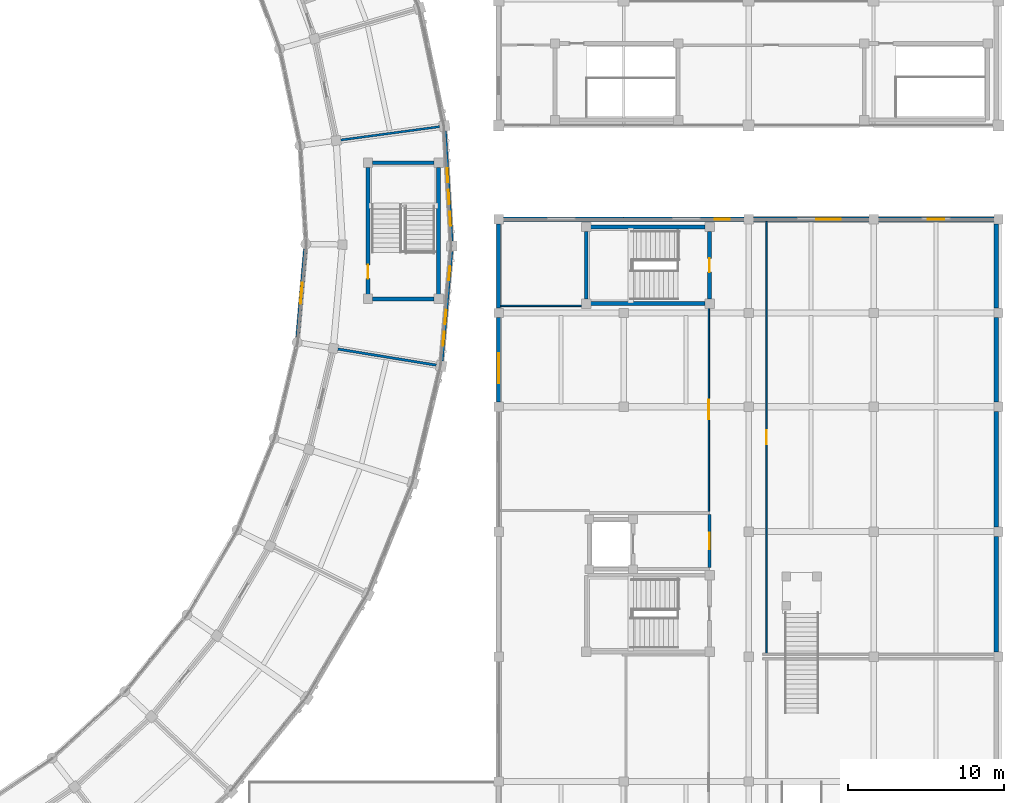
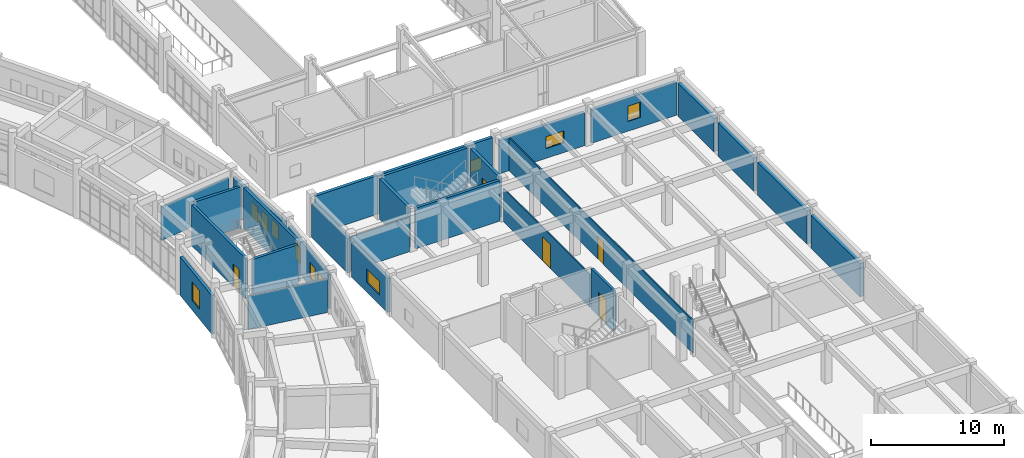
# One storey, part 135 of 159: 27 walls, 11 windows, 5 doors, 16 openings.
"""IFC4 building model written with IfcOpenShell, lengths in metres."""

from ifc_helpers import new_model, si_unit, direction, frame, frame_2d, origin, place, context, subcontext, project, spatial, rectangle, extrude, material, layer, layer_set, type_object, element, fill, save


model = new_model("IFC4")

# Units and contexts
model_context = context("Model", 3, precision=1e-05, world=origin(), true_north=direction((0.0, 1.0)))
body_context = subcontext(model_context, "Body", "Model", "MODEL_VIEW")
ifc_project = project(units=[si_unit("LENGTHUNIT", "METRE"), si_unit("AREAUNIT", "SQUARE_METRE"), si_unit("VOLUMEUNIT", "CUBIC_METRE"), si_unit("PLANEANGLEUNIT", "RADIAN"), si_unit("MASSUNIT", "GRAM", prefix="KILO")], contexts=[model_context])

# Site, building, storey
site_placement = place(None, origin())
site = spatial("IfcSite", under=ifc_project, at=site_placement, CompositionType="ELEMENT")
building_placement = place(site_placement, origin())
building = spatial("IfcBuilding", under=site, at=building_placement, Name="Celadon Cloister-Ring School", CompositionType="ELEMENT")
storey_placement = place(building_placement, frame((0.0, 0.0, 4.5)))
storey = spatial("IfcBuildingStorey", under=building, at=storey_placement, Name="L01", CompositionType="ELEMENT", Elevation=4.5)

# Wall, opening, window
ifc_material_1 = material(Name="Rendered concrete blockwork", Category="masonry")
ifc_layer_1 = layer(ifc_material_1, 0.260009765625)
ifc_layer_set_1 = layer_set([ifc_layer_1], Name="Rendered concrete blockwork")
wall_type_1 = type_object("IfcWallType", Name="WT-EX2", PredefinedType="SOLIDWALL", material=ifc_layer_set_1)
wall_1_placement = place(storey_placement, frame((142.0, 48.302001953125, 0.0), z_axis=(0.0, 0.0, 1.0), x_axis=(0.0, 1.0, 0.0)))
wall_1 = element("IfcWall", 1, at=wall_1_placement, inside=storey, type_object=wall_type_1, Name="Exterior Wall 0431", PredefinedType="SOLIDWALL", context=body_context, shape_type="SweptSolid", body=[
    extrude(rectangle(XDim=5.39599609375, YDim=0.260009765625, at=frame_2d((2.697998046875, 0.0))), origin(), (0.0, 0.0, 1.0), 3.152099609375),
])
opening_1_placement = place(wall_1_placement, frame((1.18310546875, 0.0, 0.89990234375)))
opening_1 = element("IfcOpeningElement", 2, at=opening_1_placement, cuts=wall_1, Name="Opening WN-18", PredefinedType="OPENING", context=body_context, shape_type="SweptSolid", body=[
    extrude(rectangle(XDim=1.949951171875, YDim=1.25, at=frame_2d((0.97509765625, 0.625))), frame((0.0, 0.14013671875, 0.0), z_axis=(0.0, -1.0, 0.0), x_axis=(1.0, 0.0, 0.0)), (0.0, 0.0, 1.0), 0.280029296875),
])
ifc_material_2 = material(Name="Tempered laminated insulating glass", Category="glass")
window_type_1 = type_object("IfcWindowType", Name="WN-18", PartitioningType="DOUBLE_PANEL_VERTICAL", PredefinedType="WINDOW", material=ifc_material_2)
window_1_placement = place(opening_1_placement, origin())
window_1 = element("IfcWindow", 3, at=window_1_placement, inside=storey, type_object=window_type_1, Name="Window 0969", OverallHeight=1.25, OverallWidth=1.949951171875, PartitioningType="SINGLE_PANEL", PredefinedType="WINDOW", context=body_context, shape_type="SweptSolid", body=[
    extrude(rectangle(XDim=1.949951171875, YDim=1.25, at=frame_2d((0.97509765625, 0.625))), frame((0.0, 0.030029296875, 0.0), z_axis=(0.0, -1.0, 0.0), x_axis=(1.0, 0.0, 0.0)), (0.0, 0.0, 1.0), 0.06005859375),
])
fill(opening_1, window_1)

# Walls
wall_2_placement = place(storey_placement, frame((142.0, 54.302001953125, 0.0), z_axis=(0.0, 0.0, 1.0), x_axis=(0.0, 1.0, 0.0)))
element("IfcWall", 4, at=wall_2_placement, inside=storey, type_object=wall_type_1, Name="Exterior Wall 0432", PredefinedType="SOLIDWALL", context=body_context, shape_type="SweptSolid", body=[
    extrude(rectangle(XDim=5.39599609375, YDim=0.260009765625, at=frame_2d((2.697998046875, 0.0))), origin(), (0.0, 0.0, 1.0), 3.152099609375),
])
wall_3_placement = place(storey_placement, frame((142.302001953125, 60.0, 0.0), z_axis=(0.0, 0.0, 1.0), x_axis=(1.0, 0.0, 0.0)))
element("IfcWall", 5, at=wall_3_placement, inside=storey, type_object=wall_type_1, Name="Exterior Wall 0433", PredefinedType="SOLIDWALL", context=body_context, shape_type="SweptSolid", body=[
    extrude(rectangle(XDim=7.697998046875, YDim=0.260009765625, at=frame_2d((3.84912109375, 0.0))), origin(), (0.0, 0.0, 1.0), 3.550048828125),
])

# Wall, opening, window
wall_4_placement = place(storey_placement, frame((150.0, 60.0, 0.0), z_axis=(0.0, 0.0, 1.0), x_axis=(1.0, 0.0, 0.0)))
wall_4 = element("IfcWall", 6, at=wall_4_placement, inside=storey, type_object=wall_type_1, Name="Exterior Wall 0434", PredefinedType="SOLIDWALL", context=body_context, shape_type="SweptSolid", body=[
    extrude(rectangle(XDim=7.697998046875, YDim=0.260009765625, at=frame_2d((3.84912109375, 0.0))), origin(), (0.0, 0.0, 1.0), 3.550048828125),
])
opening_2_placement = place(wall_4_placement, frame((5.8369140625, 0.0, 0.89990234375)))
opening_2 = element("IfcOpeningElement", 7, at=opening_2_placement, cuts=wall_4, Name="Opening WN-02", PredefinedType="OPENING", context=body_context, shape_type="SweptSolid", body=[
    extrude(rectangle(XDim=0.949951171875, YDim=1.10009765625, at=frame_2d((0.47509765625, 0.550048828125))), frame((0.0, 0.14013671875, 0.0), z_axis=(0.0, -1.0, 0.0), x_axis=(1.0, 0.0, 0.0)), (0.0, 0.0, 1.0), 0.280029296875),
])
ifc_material_3 = material(Name="Tempered laminated insulating glass", Category="glass")
window_type_2 = type_object("IfcWindowType", Name="WN-02", PartitioningType="SINGLE_PANEL", PredefinedType="WINDOW", material=ifc_material_3)
window_2_placement = place(opening_2_placement, origin())
window_2 = element("IfcWindow", 8, at=window_2_placement, inside=storey, type_object=window_type_2, Name="Window 0970", OverallHeight=1.10009765625, OverallWidth=0.949951171875, PartitioningType="SINGLE_PANEL", PredefinedType="WINDOW", context=body_context, shape_type="SweptSolid", body=[
    extrude(rectangle(XDim=0.949951171875, YDim=1.10009765625, at=frame_2d((0.47509765625, 0.550048828125))), frame((0.0, 0.030029296875, 0.0), z_axis=(0.0, -1.0, 0.0), x_axis=(1.0, 0.0, 0.0)), (0.0, 0.0, 1.0), 0.06005859375),
])
fill(opening_2, window_2)

wall_5_placement = place(storey_placement, frame((158.302001953125, 60.0, 0.0), z_axis=(0.0, 0.0, 1.0), x_axis=(1.0, 0.0, 0.0)))
wall_5 = element("IfcWall", 9, at=wall_5_placement, inside=storey, type_object=wall_type_1, Name="Exterior Wall 0435", PredefinedType="SOLIDWALL", context=body_context, shape_type="SweptSolid", body=[
    extrude(rectangle(XDim=7.39599609375, YDim=0.260009765625, at=frame_2d((3.697998046875, 0.0))), origin(), (0.0, 0.0, 1.0), 3.052001953125),
])
opening_3_placement = place(wall_5_placement, frame((4.031982421875, 0.0, 0.89990234375)))
opening_3 = element("IfcOpeningElement", 10, at=opening_3_placement, cuts=wall_5, Name="Opening WN-06", PredefinedType="OPENING", context=body_context, shape_type="SweptSolid", body=[
    extrude(rectangle(XDim=1.550048828125, YDim=1.10009765625, at=frame_2d((0.77490234375, 0.550048828125))), frame((0.0, 0.14013671875, 0.0), z_axis=(0.0, -1.0, 0.0), x_axis=(1.0, 0.0, 0.0)), (0.0, 0.0, 1.0), 0.280029296875),
])
ifc_material_4 = material(Name="Tempered laminated insulating glass", Category="glass")
window_type_3 = type_object("IfcWindowType", Name="WN-06", PartitioningType="DOUBLE_PANEL_VERTICAL", PredefinedType="WINDOW", material=ifc_material_4)
window_3_placement = place(opening_3_placement, origin())
window_3 = element("IfcWindow", 11, at=window_3_placement, inside=storey, type_object=window_type_3, Name="Window 0971", OverallHeight=1.10009765625, OverallWidth=1.550048828125, PartitioningType="SINGLE_PANEL", PredefinedType="WINDOW", context=body_context, shape_type="SweptSolid", body=[
    extrude(rectangle(XDim=1.550048828125, YDim=1.10009765625, at=frame_2d((0.77490234375, 0.550048828125))), frame((0.0, 0.030029296875, 0.0), z_axis=(0.0, -1.0, 0.0), x_axis=(1.0, 0.0, 0.0)), (0.0, 0.0, 1.0), 0.06005859375),
])
fill(opening_3, window_3)

wall_6_placement = place(storey_placement, frame((166.302001953125, 60.0, 0.0), z_axis=(0.0, 0.0, 1.0), x_axis=(1.0, 0.0, 0.0)))
wall_6 = element("IfcWall", 12, at=wall_6_placement, inside=storey, type_object=wall_type_1, Name="Exterior Wall 0436", PredefinedType="SOLIDWALL", context=body_context, shape_type="SweptSolid", body=[
    extrude(rectangle(XDim=7.39599609375, YDim=0.260009765625, at=frame_2d((3.697998046875, 0.0))), origin(), (0.0, 0.0, 1.0), 3.052001953125),
])
opening_4_placement = place(wall_6_placement, frame((3.173095703125, 0.0, 0.89990234375)))
opening_4 = element("IfcOpeningElement", 13, at=opening_4_placement, cuts=wall_6, Name="Opening WN-22", PredefinedType="OPENING", context=body_context, shape_type="SweptSolid", body=[
    extrude(rectangle(XDim=1.050048828125, YDim=1.39990234375, at=frame_2d((0.52490234375, 0.699951171875))), frame((0.0, 0.14013671875, 0.0), z_axis=(0.0, -1.0, 0.0), x_axis=(1.0, 0.0, 0.0)), (0.0, 0.0, 1.0), 0.280029296875),
])
ifc_material_5 = material(Name="Tempered laminated insulating glass", Category="glass")
window_type_4 = type_object("IfcWindowType", Name="WN-22", PartitioningType="SINGLE_PANEL", PredefinedType="WINDOW", material=ifc_material_5)
window_4_placement = place(opening_4_placement, origin())
window_4 = element("IfcWindow", 14, at=window_4_placement, inside=storey, type_object=window_type_4, Name="Window 0972", OverallHeight=1.39990234375, OverallWidth=1.050048828125, PartitioningType="SINGLE_PANEL", PredefinedType="WINDOW", context=body_context, shape_type="SweptSolid", body=[
    extrude(rectangle(XDim=1.050048828125, YDim=1.39990234375, at=frame_2d((0.52490234375, 0.699951171875))), frame((0.0, 0.030029296875, 0.0), z_axis=(0.0, -1.0, 0.0), x_axis=(1.0, 0.0, 0.0)), (0.0, 0.0, 1.0), 0.06005859375),
])
fill(opening_4, window_4)

ifc_material_6 = material(Name="Rendered concrete blockwork", Category="masonry")
ifc_layer_2 = layer(ifc_material_6, 0.239990234375)
ifc_layer_set_2 = layer_set([ifc_layer_2], Name="Rendered concrete blockwork")
wall_type_2 = type_object("IfcWallType", Name="WT-EX3", PredefinedType="SOLIDWALL", material=ifc_layer_set_2)
wall_7_placement = place(storey_placement, frame((129.1201171875, 52.44189453125, 0.0), z_axis=(0.0, 0.0, 1.0), x_axis=(0.087717690898, 0.996145374282, 0.0)))
wall_7 = element("IfcWall", 15, at=wall_7_placement, inside=storey, type_object=wall_type_2, Name="Exterior Wall 0090", PredefinedType="SOLIDWALL", context=body_context, shape_type="SweptSolid", body=[
    extrude(rectangle(XDim=5.663818359375, YDim=0.239990234375, at=frame_2d((2.83203125, 0.0))), origin(), (0.0, 0.0, 1.0), 3.550048828125),
])
opening_5_placement = place(wall_7_placement, frame((2.156982421875, 0.0, 0.89990234375)))
opening_5 = element("IfcOpeningElement", 16, at=opening_5_placement, cuts=wall_7, Name="Opening WN-43", PredefinedType="OPENING", context=body_context, shape_type="SweptSolid", body=[
    extrude(rectangle(XDim=1.35009765625, YDim=1.699951171875, at=frame_2d((0.675048828125, 0.85009765625))), frame((0.0, 0.1298828125, 0.0), z_axis=(0.0, -1.0, 0.0), x_axis=(1.0, 0.0, 0.0)), (0.0, 0.0, 1.0), 0.260009765625),
])
ifc_material_7 = material(Name="Tempered laminated insulating glass", Category="glass")
window_type_5 = type_object("IfcWindowType", Name="WN-43", PartitioningType="SINGLE_PANEL", PredefinedType="WINDOW", material=ifc_material_7)
window_5_placement = place(opening_5_placement, origin())
window_5 = element("IfcWindow", 17, at=window_5_placement, inside=storey, type_object=window_type_5, Name="Window 0243", OverallHeight=1.699951171875, OverallWidth=1.35009765625, PartitioningType="SINGLE_PANEL", PredefinedType="WINDOW", context=body_context, shape_type="SweptSolid", body=[
    extrude(rectangle(XDim=1.35009765625, YDim=1.699951171875, at=frame_2d((0.675048828125, 0.85009765625))), frame((0.0, 0.030029296875, 0.0), z_axis=(0.0, -1.0, 0.0), x_axis=(1.0, 0.0, 0.0)), (0.0, 0.0, 1.0), 0.06005859375),
])
fill(opening_5, window_5)

# Wall, openings, windows
ifc_material_8 = material(Name="Perforated terracotta clay brick masonry", Category="masonry")
ifc_layer_3 = layer(ifc_material_8, 0.219970703125)
ifc_layer_set_3 = layer_set([ifc_layer_3], Name="Perforated terracotta clay brick masonry")
wall_type_3 = type_object("IfcWallType", Name="WT-EX4", PredefinedType="SOLIDWALL", material=ifc_layer_set_3)
wall_8_placement = place(storey_placement, frame((138.965087890625, 57.946044921875, 0.0), z_axis=(0.0, 0.0, 1.0), x_axis=(-0.087777274836, -0.996140125696, 0.0)))
wall_8 = element("IfcWall", 18, at=wall_8_placement, inside=storey, type_object=wall_type_3, Name="Exterior Wall 0089", PredefinedType="SOLIDWALL", context=body_context, shape_type="SweptSolid", body=[
    extrude(rectangle(XDim=7.03125, YDim=0.219970703125, at=frame_2d((3.515625, 0.0))), origin(), (0.0, 0.0, 1.0), 3.172119140625),
])
opening_6_placement = place(wall_8_placement, frame((0.9560546875, 0.0, 0.85009765625)))
opening_6 = element("IfcOpeningElement", 19, at=opening_6_placement, cuts=wall_8, Name="Opening WN-21", PredefinedType="OPENING", context=body_context, shape_type="SweptSolid", body=[
    extrude(rectangle(XDim=0.89990234375, YDim=1.39990234375, at=frame_2d((0.449951171875, 0.699951171875))), frame((0.0, 0.1201171875, 0.0), z_axis=(0.0, -1.0, 0.0), x_axis=(1.0, 0.0, 0.0)), (0.0, 0.0, 1.0), 0.239990234375),
])
opening_7_placement = place(wall_8_placement, frame((3.76904296875, 0.0, 0.85009765625)))
opening_7 = element("IfcOpeningElement", 20, at=opening_7_placement, cuts=wall_8, Name="Opening WN-21", PredefinedType="OPENING", context=body_context, shape_type="SweptSolid", body=[
    extrude(rectangle(XDim=0.89990234375, YDim=1.39990234375, at=frame_2d((0.449951171875, 0.699951171875))), frame((0.0, 0.1201171875, 0.0), z_axis=(0.0, -1.0, 0.0), x_axis=(1.0, 0.0, 0.0)), (0.0, 0.0, 1.0), 0.239990234375),
])
opening_8_placement = place(wall_8_placement, frame((5.175048828125, 0.0, 0.85009765625)))
opening_8 = element("IfcOpeningElement", 21, at=opening_8_placement, cuts=wall_8, Name="Opening WN-21", PredefinedType="OPENING", context=body_context, shape_type="SweptSolid", body=[
    extrude(rectangle(XDim=0.89990234375, YDim=1.39990234375, at=frame_2d((0.449951171875, 0.699951171875))), frame((0.0, 0.1201171875, 0.0), z_axis=(0.0, -1.0, 0.0), x_axis=(1.0, 0.0, 0.0)), (0.0, 0.0, 1.0), 0.239990234375),
])
ifc_material_9 = material(Name="Tempered laminated insulating glass", Category="glass")
window_type_6 = type_object("IfcWindowType", Name="WN-21", PartitioningType="SINGLE_PANEL", PredefinedType="WINDOW", material=ifc_material_9)
window_6_placement = place(opening_6_placement, origin())
window_6 = element("IfcWindow", 22, at=window_6_placement, inside=storey, type_object=window_type_6, Name="Window 0240", OverallHeight=1.39990234375, OverallWidth=0.89990234375, PartitioningType="SINGLE_PANEL", PredefinedType="WINDOW", context=body_context, shape_type="SweptSolid", body=[
    extrude(rectangle(XDim=0.89990234375, YDim=1.39990234375, at=frame_2d((0.449951171875, 0.699951171875))), frame((0.0, 0.030029296875, 0.0), z_axis=(0.0, -1.0, 0.0), x_axis=(1.0, 0.0, 0.0)), (0.0, 0.0, 1.0), 0.06005859375),
])
fill(opening_6, window_6)
window_7_placement = place(opening_7_placement, origin())
window_7 = element("IfcWindow", 23, at=window_7_placement, inside=storey, type_object=window_type_6, Name="Window 0241", OverallHeight=1.39990234375, OverallWidth=0.89990234375, PartitioningType="SINGLE_PANEL", PredefinedType="WINDOW", context=body_context, shape_type="SweptSolid", body=[
    extrude(rectangle(XDim=0.89990234375, YDim=1.39990234375, at=frame_2d((0.449951171875, 0.699951171875))), frame((0.0, 0.030029296875, 0.0), z_axis=(0.0, -1.0, 0.0), x_axis=(1.0, 0.0, 0.0)), (0.0, 0.0, 1.0), 0.06005859375),
])
fill(opening_7, window_7)
window_8_placement = place(opening_8_placement, origin())
window_8 = element("IfcWindow", 24, at=window_8_placement, inside=storey, type_object=window_type_6, Name="Window 0242", OverallHeight=1.39990234375, OverallWidth=0.89990234375, PartitioningType="SINGLE_PANEL", PredefinedType="WINDOW", context=body_context, shape_type="SweptSolid", body=[
    extrude(rectangle(XDim=0.89990234375, YDim=1.39990234375, at=frame_2d((0.449951171875, 0.699951171875))), frame((0.0, 0.030029296875, 0.0), z_axis=(0.0, -1.0, 0.0), x_axis=(1.0, 0.0, 0.0)), (0.0, 0.0, 1.0), 0.06005859375),
])
fill(opening_8, window_8)

wall_9_placement = place(storey_placement, frame((138.551025390625, 65.635986328125, 0.0), z_axis=(0.0, 0.0, 1.0), x_axis=(0.06029906372, -0.998180355905, 0.0)))
wall_9 = element("IfcWall", 25, at=wall_9_placement, inside=storey, type_object=wall_type_3, Name="Exterior Wall 0091", PredefinedType="SOLIDWALL", context=body_context, shape_type="SweptSolid", body=[
    extrude(rectangle(XDim=7.03271484375, YDim=0.219970703125, at=frame_2d((3.516357421875, 0.0))), origin(), (0.0, 0.0, 1.0), 3.172119140625),
])
opening_9_placement = place(wall_9_placement, frame((2.363037109375, 0.0, 0.85009765625)))
opening_9 = element("IfcOpeningElement", 26, at=opening_9_placement, cuts=wall_9, Name="Opening WN-21", PredefinedType="OPENING", context=body_context, shape_type="SweptSolid", body=[
    extrude(rectangle(XDim=0.89990234375, YDim=1.39990234375, at=frame_2d((0.449951171875, 0.699951171875))), frame((0.0, 0.1201171875, 0.0), z_axis=(0.0, -1.0, 0.0), x_axis=(1.0, 0.0, 0.0)), (0.0, 0.0, 1.0), 0.239990234375),
])
opening_10_placement = place(wall_9_placement, frame((3.77001953125, 0.0, 0.85009765625)))
opening_10 = element("IfcOpeningElement", 27, at=opening_10_placement, cuts=wall_9, Name="Opening WN-21", PredefinedType="OPENING", context=body_context, shape_type="SweptSolid", body=[
    extrude(rectangle(XDim=0.89990234375, YDim=1.39990234375, at=frame_2d((0.449951171875, 0.699951171875))), frame((0.0, 0.1201171875, 0.0), z_axis=(0.0, -1.0, 0.0), x_axis=(1.0, 0.0, 0.0)), (0.0, 0.0, 1.0), 0.239990234375),
])
opening_11_placement = place(wall_9_placement, frame((5.176025390625, 0.0, 0.85009765625)))
opening_11 = element("IfcOpeningElement", 28, at=opening_11_placement, cuts=wall_9, Name="Opening WN-21", PredefinedType="OPENING", context=body_context, shape_type="SweptSolid", body=[
    extrude(rectangle(XDim=0.89990234375, YDim=1.39990234375, at=frame_2d((0.449951171875, 0.699951171875))), frame((0.0, 0.1201171875, 0.0), z_axis=(0.0, -1.0, 0.0), x_axis=(1.0, 0.0, 0.0)), (0.0, 0.0, 1.0), 0.239990234375),
])
window_9_placement = place(opening_9_placement, origin())
window_9 = element("IfcWindow", 29, at=window_9_placement, inside=storey, type_object=window_type_6, Name="Window 0244", OverallHeight=1.39990234375, OverallWidth=0.89990234375, PartitioningType="SINGLE_PANEL", PredefinedType="WINDOW", context=body_context, shape_type="SweptSolid", body=[
    extrude(rectangle(XDim=0.89990234375, YDim=1.39990234375, at=frame_2d((0.449951171875, 0.699951171875))), frame((0.0, 0.030029296875, 0.0), z_axis=(0.0, -1.0, 0.0), x_axis=(1.0, 0.0, 0.0)), (0.0, 0.0, 1.0), 0.06005859375),
])
fill(opening_9, window_9)
window_10_placement = place(opening_10_placement, origin())
window_10 = element("IfcWindow", 30, at=window_10_placement, inside=storey, type_object=window_type_6, Name="Window 0245", OverallHeight=1.39990234375, OverallWidth=0.89990234375, PartitioningType="SINGLE_PANEL", PredefinedType="WINDOW", context=body_context, shape_type="SweptSolid", body=[
    extrude(rectangle(XDim=0.89990234375, YDim=1.39990234375, at=frame_2d((0.449951171875, 0.699951171875))), frame((0.0, 0.030029296875, 0.0), z_axis=(0.0, -1.0, 0.0), x_axis=(1.0, 0.0, 0.0)), (0.0, 0.0, 1.0), 0.06005859375),
])
fill(opening_10, window_10)
window_11_placement = place(opening_11_placement, origin())
window_11 = element("IfcWindow", 31, at=window_11_placement, inside=storey, type_object=window_type_6, Name="Window 0246", OverallHeight=1.39990234375, OverallWidth=0.89990234375, PartitioningType="SINGLE_PANEL", PredefinedType="WINDOW", context=body_context, shape_type="SweptSolid", body=[
    extrude(rectangle(XDim=0.89990234375, YDim=1.39990234375, at=frame_2d((0.449951171875, 0.699951171875))), frame((0.0, 0.030029296875, 0.0), z_axis=(0.0, -1.0, 0.0), x_axis=(1.0, 0.0, 0.0)), (0.0, 0.0, 1.0), 0.06005859375),
])
fill(opening_11, window_11)

# Walls
ifc_material_10 = material(Name="Concrete C40/50", Category="concrete")
ifc_layer_4 = layer(ifc_material_10, 0.300048828125)
ifc_layer_set_4 = layer_set([ifc_layer_4], Name="Concrete C40/50")
wall_type_4 = type_object("IfcWallType", Name="WT-FW1", PredefinedType="SHEAR", material=ifc_layer_set_4)
for number, where, z_axis, x_axis, name in (
    (32, (173.85009765625, 59.697998046875, 0.0), (0.0, 0.0, 1.0), (0.0, -1.0, 0.0), "Exterior Wall 0437"),
    (33, (173.85009765625, 53.697998046875, 0.0), (0.0, 0.0, 1.0), (0.0, -1.0, 0.0), "Exterior Wall 0438"),
):
    element("IfcWall", number, at=place(storey_placement, frame(where, z_axis=z_axis, x_axis=x_axis)), inside=storey, type_object=wall_type_4, Name=name, PredefinedType="SHEAR", context=body_context, shape_type="SweptSolid", body=[
        extrude(rectangle(XDim=5.39599609375, YDim=0.300048828125, at=frame_2d((2.697998046875, 0.0))), origin(), (0.0, 0.0, 1.0), 3.052001953125),
    ])
for number, where, z_axis, x_axis, name in (
    (34, (173.85009765625, 47.697998046875, 0.0), (0.0, 0.0, 1.0), (0.0, -1.0, 0.0), "Exterior Wall 0439"),
    (35, (173.85009765625, 39.697998046875, 0.0), (0.0, 0.0, 1.0), (0.0, -1.0, 0.0), "Exterior Wall 0440"),
):
    element("IfcWall", number, at=place(storey_placement, frame(where, z_axis=z_axis, x_axis=x_axis)), inside=storey, type_object=wall_type_4, Name=name, PredefinedType="SHEAR", context=body_context, shape_type="SweptSolid", body=[
        extrude(rectangle(XDim=7.39599609375, YDim=0.300048828125, at=frame_2d((3.697998046875, 0.0))), origin(), (0.0, 0.0, 1.0), 3.052001953125),
    ])

# Wall, opening, door
ifc_material_11 = material(Name="Plastered hollow concrete masonry", Category="masonry")
ifc_layer_5 = layer(ifc_material_11, 0.199951171875)
ifc_layer_set_5 = layer_set([ifc_layer_5], Name="Plastered hollow concrete masonry")
wall_type_5 = type_object("IfcWallType", Name="WT-PT1", PredefinedType="PARTITIONING", material=ifc_layer_set_5)
wall_10_placement = place(storey_placement, frame((155.5, 37.702880859375, 0.0), z_axis=(0.0, 0.0, 1.0), x_axis=(0.0, 1.0, 0.0)))
wall_10 = element("IfcWall", 36, at=wall_10_placement, inside=storey, type_object=wall_type_5, Name="Interior Wall 0412", PredefinedType="PARTITIONING", context=body_context, shape_type="SweptSolid", body=[
    extrude(rectangle(XDim=3.39404296875, YDim=0.199951171875, at=frame_2d((1.697021484375, 0.0))), origin(), (0.0, 0.0, 1.0), 3.699951171875),
])
opening_12_placement = place(wall_10_placement, frame((1.1669921875, 0.0, 0.0)))
opening_12 = element("IfcOpeningElement", 37, at=opening_12_placement, cuts=wall_10, Name="Opening D-0110", PredefinedType="OPENING", context=body_context, shape_type="SweptSolid", body=[
    extrude(rectangle(XDim=1.06005859375, YDim=2.199951171875, at=frame_2d((0.530029296875, 1.10009765625))), frame((0.0, 0.10986328125, 0.0), z_axis=(0.0, -1.0, 0.0), x_axis=(1.0, 0.0, 0.0)), (0.0, 0.0, 1.0), 0.219970703125),
])
ifc_material_12 = material(Name="Solid-core fire-rated hardwood leaf", Category="wood")
door_type_1 = type_object("IfcDoorType", Name="DT-08", OperationType="NOTDEFINED", PredefinedType="DOOR", material=ifc_material_12)
door_1_placement = place(opening_12_placement, origin())
door_1 = element("IfcDoor", 38, at=door_1_placement, inside=storey, type_object=door_type_1, Name="Door D-0110", OperationType="SINGLE_SWING_RIGHT", OverallHeight=2.199951171875, OverallWidth=1.06005859375, PredefinedType="DOOR", context=body_context, shape_type="SweptSolid", body=[
    extrude(rectangle(XDim=1.06005859375, YDim=2.199951171875, at=frame_2d((0.530029296875, 1.10009765625))), frame((0.0, 0.02490234375, 0.0), z_axis=(0.0, -1.0, 0.0), x_axis=(1.0, 0.0, 0.0)), (0.0, 0.0, 1.0), 0.050048828125),
])
fill(opening_12, door_1)

# Walls
ifc_material_13 = material(Name="Plastered hollow concrete masonry", Category="masonry")
ifc_layer_6 = layer(ifc_material_13, 0.159912109375)
ifc_layer_set_6 = layer_set([ifc_layer_6], Name="Plastered hollow concrete masonry")
wall_type_6 = type_object("IfcWallType", Name="WT-PT3", PredefinedType="PARTITIONING", material=ifc_layer_set_6)
wall_11_placement = place(storey_placement, frame((131.697998046875, 51.68994140625, 0.0), z_axis=(0.0, 0.0, 1.0), x_axis=(0.986875911207, -0.161480450458, 0.0)))
element("IfcWall", 39, at=wall_11_placement, inside=storey, type_object=wall_type_6, Name="Interior Wall 0497", PredefinedType="PARTITIONING", context=body_context, shape_type="SweptSolid", body=[
    extrude(rectangle(XDim=6.390869140625, YDim=0.159912109375, at=frame_2d((3.1953125, 0.0))), origin(), (0.0, 0.0, 1.0), 3.072021484375),
])
ifc_material_14 = material(Name="Acoustic mineral-wool drywall partition")
ifc_layer_7 = layer(ifc_material_14, 0.139892578125)
ifc_layer_set_7 = layer_set([ifc_layer_7], Name="Acoustic mineral-wool drywall partition")
wall_type_7 = type_object("IfcWallType", Name="WT-PT4", PredefinedType="PARTITIONING", material=ifc_layer_set_7)
wall_12_placement = place(storey_placement, frame((131.883056640625, 65.071044921875, 0.0), z_axis=(0.0, 0.0, 1.0), x_axis=(0.990971868219, 0.134069968295, 0.0)))
element("IfcWall", 40, at=wall_12_placement, inside=storey, type_object=wall_type_7, Name="Interior Wall 0498", PredefinedType="PARTITIONING", context=body_context, shape_type="SweptSolid", body=[
    extrude(rectangle(XDim=6.3916015625, YDim=0.139892578125, at=frame_2d((3.19580078125, 0.0))), origin(), (0.0, 0.0, 1.0), 3.072021484375),
])

# Wall, opening, door
ifc_material_15 = material(Name="Acoustic mineral-wool drywall partition")
ifc_layer_8 = layer(ifc_material_15, 0.10009765625)
ifc_layer_set_8 = layer_set([ifc_layer_8], Name="Acoustic mineral-wool drywall partition")
wall_type_8 = type_object("IfcWallType", Name="WT-PT6", PredefinedType="PARTITIONING", material=ifc_layer_set_8)
wall_13_placement = place(storey_placement, frame((159.14990234375, 32.202880859375, 0.0), z_axis=(0.0, 0.0, 1.0), x_axis=(0.0, 1.0, 0.0)))
wall_13 = element("IfcWall", 41, at=wall_13_placement, inside=storey, type_object=wall_type_8, Name="Interior Wall 0958", PredefinedType="PARTITIONING", context=body_context, shape_type="SweptSolid", body=[
    extrude(rectangle(XDim=27.6640625, YDim=0.10009765625, at=frame_2d((13.83203125, 0.0))), origin(), (0.0, 0.0, 1.0), 3.052001953125),
])
opening_13_placement = place(wall_13_placement, frame((13.39208984375, 0.0, 0.0)))
opening_13 = element("IfcOpeningElement", 42, at=opening_13_placement, cuts=wall_13, Name="Opening D-0347", PredefinedType="OPENING", context=body_context, shape_type="SweptSolid", body=[
    extrude(rectangle(XDim=0.8798828125, YDim=2.10009765625, at=frame_2d((0.43994140625, 1.050048828125))), frame((0.0, 0.06005859375, 0.0), z_axis=(0.0, -1.0, 0.0), x_axis=(1.0, 0.0, 0.0)), (0.0, 0.0, 1.0), 0.1201171875),
])
ifc_material_16 = material(Name="Solid-core fire-rated hardwood leaf", Category="wood")
door_type_2 = type_object("IfcDoorType", Name="DT-01", OperationType="NOTDEFINED", PredefinedType="DOOR", material=ifc_material_16)
door_2_placement = place(opening_13_placement, origin())
door_2 = element("IfcDoor", 43, at=door_2_placement, inside=storey, type_object=door_type_2, Name="Door D-0347", OperationType="SINGLE_SWING_LEFT", OverallHeight=2.10009765625, OverallWidth=0.8798828125, PredefinedType="DOOR", context=body_context, shape_type="SweptSolid", body=[
    extrude(rectangle(XDim=0.8798828125, YDim=2.10009765625, at=frame_2d((0.43994140625, 1.050048828125))), frame((0.0, 0.02490234375, 0.0), z_axis=(0.0, -1.0, 0.0), x_axis=(1.0, 0.0, 0.0)), (0.0, 0.0, 1.0), 0.050048828125),
])
fill(opening_13, door_2)

# Wall
wall_14_placement = place(storey_placement, frame((142.133056640625, 54.449951171875, 0.0), z_axis=(0.0, 0.0, 1.0), x_axis=(1.0, 0.0, 0.0)))
element("IfcWall", 44, at=wall_14_placement, inside=storey, type_object=wall_type_8, Name="Interior Wall 0975", PredefinedType="PARTITIONING", context=body_context, shape_type="SweptSolid", body=[
    extrude(rectangle(XDim=5.175048828125, YDim=0.10009765625, at=frame_2d((2.58740234375, 0.0))), origin(), (0.0, 0.0, 1.0), 3.152099609375),
])

# Wall, opening, door
wall_15_placement = place(storey_placement, frame((155.449951171875, 54.30810546875, 0.0), z_axis=(0.0, 0.0, 1.0), x_axis=(0.0, -1.0, 0.0)))
wall_15 = element("IfcWall", 45, at=wall_15_placement, inside=storey, type_object=wall_type_8, Name="Interior Wall 0976", PredefinedType="PARTITIONING", context=body_context, shape_type="SweptSolid", body=[
    extrude(rectangle(XDim=13.005126953125, YDim=0.10009765625, at=frame_2d((6.50244140625, 0.0))), origin(), (0.0, 0.0, 1.0), 3.052001953125),
])
opening_14_placement = place(wall_15_placement, frame((5.8779296875, 0.0, 0.0)))
opening_14 = element("IfcOpeningElement", 46, at=opening_14_placement, cuts=wall_15, Name="Opening D-0352", PredefinedType="OPENING", context=body_context, shape_type="SweptSolid", body=[
    extrude(rectangle(XDim=1.25, YDim=2.199951171875, at=frame_2d((0.625, 1.10009765625))), frame((0.0, 0.06005859375, 0.0), z_axis=(0.0, -1.0, 0.0), x_axis=(1.0, 0.0, 0.0)), (0.0, 0.0, 1.0), 0.1201171875),
])
ifc_material_17 = material(Name="Galvanised fire-rated hollow steel leaf", Category="steel")
door_type_3 = type_object("IfcDoorType", Name="DT-10", OperationType="NOTDEFINED", PredefinedType="DOOR", material=ifc_material_17)
door_3_placement = place(opening_14_placement, origin())
door_3 = element("IfcDoor", 47, at=door_3_placement, inside=storey, type_object=door_type_3, Name="Door D-0352", OperationType="SINGLE_SWING_RIGHT", OverallHeight=2.199951171875, OverallWidth=1.25, PredefinedType="DOOR", context=body_context, shape_type="SweptSolid", body=[
    extrude(rectangle(XDim=1.25, YDim=2.199951171875, at=frame_2d((0.625, 1.10009765625))), frame((0.0, 0.02490234375, 0.0), z_axis=(0.0, -1.0, 0.0), x_axis=(1.0, 0.0, 0.0)), (0.0, 0.0, 1.0), 0.050048828125),
])
fill(opening_14, door_3)

# Wall
ifc_material_18 = material(Name="Concrete C40/50", Category="concrete")
ifc_layer_9 = layer(ifc_material_18, 0.239990234375)
ifc_layer_set_9 = layer_set([ifc_layer_9], Name="Concrete C40/50")
wall_type_9 = type_object("IfcWallType", Name="WT-SH1", PredefinedType="SHEAR", material=ifc_layer_set_9)
wall_16_placement = place(storey_placement, frame((147.60009765625, 54.89208984375, 0.0), z_axis=(0.0, 0.0, 1.0), x_axis=(0.0, 1.0, 0.0)))
element("IfcWall", 48, at=wall_16_placement, inside=storey, type_object=wall_type_9, Name="Interior Wall 0149", PredefinedType="SHEAR", context=body_context, shape_type="SweptSolid", body=[
    extrude(rectangle(XDim=4.31591796875, YDim=0.239990234375, at=frame_2d((2.157958984375, 0.0))), origin(), (0.0, 0.0, 1.0), 3.739990234375),
])

# Wall, opening, door
wall_17_placement = place(storey_placement, frame((155.5, 59.2080078125, 0.0), z_axis=(0.0, 0.0, 1.0), x_axis=(0.0, -1.0, 0.0)))
wall_17 = element("IfcWall", 49, at=wall_17_placement, inside=storey, type_object=wall_type_9, Name="Interior Wall 0150", PredefinedType="SHEAR", context=body_context, shape_type="SweptSolid", body=[
    extrude(rectangle(XDim=4.31591796875, YDim=0.239990234375, at=frame_2d((2.157958984375, 0.0))), origin(), (0.0, 0.0, 1.0), 3.739990234375),
])
opening_15_placement = place(wall_17_placement, frame((1.718017578125, 0.0, 0.0)))
opening_15 = element("IfcOpeningElement", 50, at=opening_15_placement, cuts=wall_17, Name="Opening D-0070", PredefinedType="OPENING", context=body_context, shape_type="SweptSolid", body=[
    extrude(rectangle(XDim=0.8798828125, YDim=2.10009765625, at=frame_2d((0.43994140625, 1.050048828125))), frame((0.0, 0.1298828125, 0.0), z_axis=(0.0, -1.0, 0.0), x_axis=(1.0, 0.0, 0.0)), (0.0, 0.0, 1.0), 0.260009765625),
])
door_4_placement = place(opening_15_placement, origin())
door_4 = element("IfcDoor", 51, at=door_4_placement, inside=storey, type_object=door_type_2, Name="Door D-0070", OperationType="SINGLE_SWING_RIGHT", OverallHeight=2.10009765625, OverallWidth=0.8798828125, PredefinedType="DOOR", context=body_context, shape_type="SweptSolid", body=[
    extrude(rectangle(XDim=0.8798828125, YDim=2.10009765625, at=frame_2d((0.43994140625, 1.050048828125))), frame((0.0, 0.02490234375, 0.0), z_axis=(0.0, -1.0, 0.0), x_axis=(1.0, 0.0, 0.0)), (0.0, 0.0, 1.0), 0.050048828125),
])
fill(opening_15, door_4)

# Walls
for number, where, z_axis, x_axis, name in (
    (52, (155.2080078125, 54.60009765625, 0.0), (0.0, 0.0, 1.0), (-1.0, 0.0, 0.0), "Interior Wall 0151"),
    (53, (155.2080078125, 59.5, 0.0), (0.0, 0.0, 1.0), (-1.0, 0.0, 0.0), "Interior Wall 0152"),
):
    element("IfcWall", number, at=place(storey_placement, frame(where, z_axis=z_axis, x_axis=x_axis)), inside=storey, type_object=wall_type_9, Name=name, PredefinedType="SHEAR", context=body_context, shape_type="SweptSolid", body=[
        extrude(rectangle(XDim=7.31591796875, YDim=0.239990234375, at=frame_2d((3.657958984375, 0.0))), origin(), (0.0, 0.0, 1.0), 3.739990234375),
    ])

# Wall, opening, door
wall_18_placement = place(storey_placement, frame((133.6298828125, 55.19189453125, 0.0), z_axis=(0.0, 0.0, 1.0), x_axis=(0.0, 1.0, 0.0)))
wall_18 = element("IfcWall", 54, at=wall_18_placement, inside=storey, type_object=wall_type_9, Name="Interior Wall 0197", PredefinedType="SHEAR", context=body_context, shape_type="SweptSolid", body=[
    extrude(rectangle(XDim=8.135986328125, YDim=0.239990234375, at=frame_2d((4.06787109375, 0.0))), origin(), (0.0, 0.0, 1.0), 3.739990234375),
])
opening_16_placement = place(wall_18_placement, frame((1.011962890625, 0.0, 0.0)))
opening_16 = element("IfcOpeningElement", 55, at=opening_16_placement, cuts=wall_18, Name="Opening D-0082", PredefinedType="OPENING", context=body_context, shape_type="SweptSolid", body=[
    extrude(rectangle(XDim=0.8798828125, YDim=2.10009765625, at=frame_2d((0.43994140625, 1.050048828125))), frame((0.0, 0.1298828125, 0.0), z_axis=(0.0, -1.0, 0.0), x_axis=(1.0, 0.0, 0.0)), (0.0, 0.0, 1.0), 0.260009765625),
])
door_5_placement = place(opening_16_placement, origin())
door_5 = element("IfcDoor", 56, at=door_5_placement, inside=storey, type_object=door_type_2, Name="Door D-0082", OperationType="SINGLE_SWING_RIGHT", OverallHeight=2.10009765625, OverallWidth=0.8798828125, PredefinedType="DOOR", context=body_context, shape_type="SweptSolid", body=[
    extrude(rectangle(XDim=0.8798828125, YDim=2.10009765625, at=frame_2d((0.43994140625, 1.050048828125))), frame((0.0, 0.02490234375, 0.0), z_axis=(0.0, -1.0, 0.0), x_axis=(1.0, 0.0, 0.0)), (0.0, 0.0, 1.0), 0.050048828125),
])
fill(opening_16, door_5)

# Walls
wall_19_placement = place(storey_placement, frame((138.14990234375, 63.327880859375, 0.0), z_axis=(0.0, 0.0, 1.0), x_axis=(0.0, -1.0, 0.0)))
element("IfcWall", 57, at=wall_19_placement, inside=storey, type_object=wall_type_9, Name="Interior Wall 0198", PredefinedType="SHEAR", context=body_context, shape_type="SweptSolid", body=[
    extrude(rectangle(XDim=8.135986328125, YDim=0.239990234375, at=frame_2d((4.06787109375, 0.0))), origin(), (0.0, 0.0, 1.0), 3.739990234375),
])
for number, where, z_axis, x_axis, name in (
    (58, (137.85791015625, 54.89990234375, 0.0), (0.0, 0.0, 1.0), (-1.0, 0.0, 0.0), "Interior Wall 0199"),
    (59, (137.85791015625, 63.6201171875, 0.0), (0.0, 0.0, 1.0), (-1.0, 0.0, 0.0), "Interior Wall 0200"),
):
    element("IfcWall", number, at=place(storey_placement, frame(where, z_axis=z_axis, x_axis=x_axis)), inside=storey, type_object=wall_type_9, Name=name, PredefinedType="SHEAR", context=body_context, shape_type="SweptSolid", body=[
        extrude(rectangle(XDim=3.935791015625, YDim=0.239990234375, at=frame_2d((1.9677734375, 0.0))), origin(), (0.0, 0.0, 1.0), 3.739990234375),
    ])

save(model, "model.ifc")
